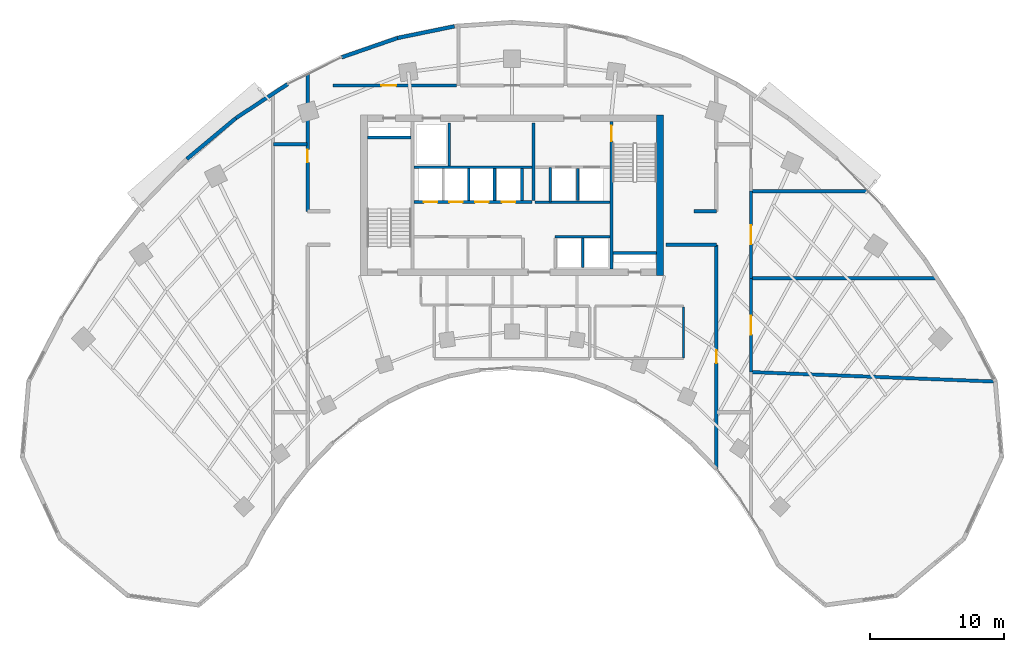
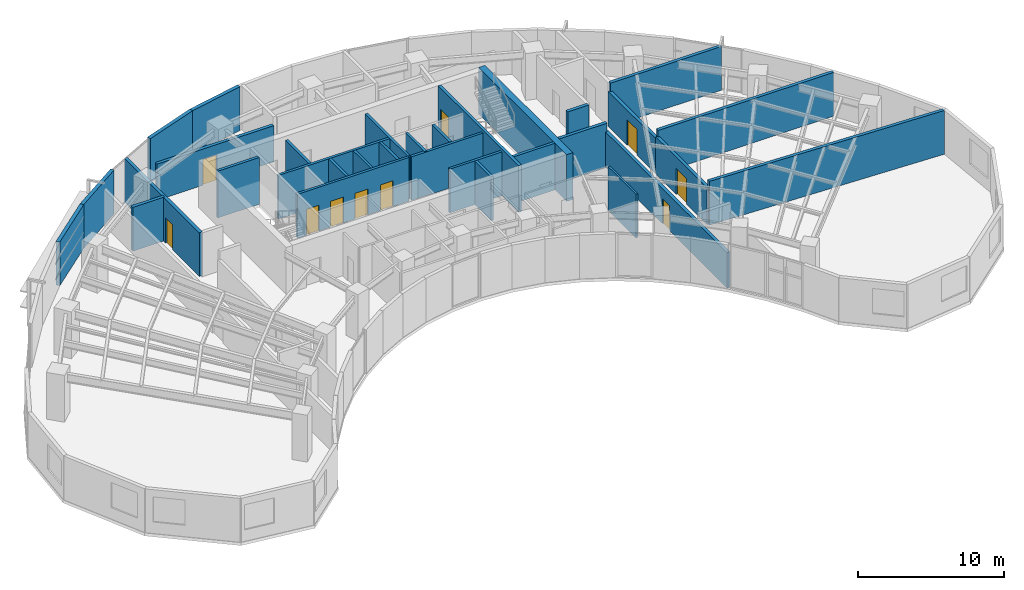
# One storey, part 10 of 14: 32 walls, 10 doors, 10 openings.
"""IFC4 building model written with IfcOpenShell, lengths in metres."""

from ifc_helpers import new_model, si_unit, direction, frame, frame_2d, origin, place, context, subcontext, project, spatial, rectangle, extrude, source, transform, mapped, material, layer, layer_set, type_object, type_shapes, element, fill, save


model = new_model("IFC4")

# Units and contexts
model_context = context("Model", 3, precision=1e-05, world=origin(), true_north=direction((0.0, 1.0)))
body_context = subcontext(model_context, "Body", "Model", "MODEL_VIEW")
ifc_project = project(units=[si_unit("LENGTHUNIT", "METRE"), si_unit("AREAUNIT", "SQUARE_METRE"), si_unit("VOLUMEUNIT", "CUBIC_METRE"), si_unit("PLANEANGLEUNIT", "RADIAN"), si_unit("MASSUNIT", "GRAM", prefix="KILO")], contexts=[model_context])

# Site, building, storey
site_placement = place(None, origin())
site = spatial("IfcSite", under=ifc_project, at=site_placement, CompositionType="ELEMENT")
building_placement = place(site_placement, origin())
building = spatial("IfcBuilding", under=site, at=building_placement, Name="Breltana Convention Tower", CompositionType="ELEMENT")
storey_placement = place(building_placement, frame((0.0, 0.0, 123.300048828125)))
storey = spatial("IfcBuildingStorey", under=building, at=storey_placement, Name="L29", CompositionType="ELEMENT", Elevation=123.300048828125)

# Walls
ifc_material_1 = material(Name="Concrete C60/75", Category="concrete")
ifc_layer_1 = layer(ifc_material_1, 0.5, Name="Concrete C60/75")
ifc_layer_set_1 = layer_set([ifc_layer_1], Name="Concrete C60/75")
wall_type_1 = type_object("IfcWallType", Name="SW-CORE-500", PredefinedType="SHEAR", material=ifc_layer_set_1)
shared_shape_1 = source(origin(), body_context, "Body", "SweptSolid", [
    extrude(rectangle(XDim=12.0, YDim=0.5, at=frame_2d((6.0, 0.0))), origin(), (0.0, 0.0, 1.0), 3.89990234375),
])
wall_1_placement = place(storey_placement, frame((59.050048828125, 60.199951171875, 0.0), z_axis=(0.0, 0.0, 1.0), x_axis=(0.0, 1.0, 0.0)))
element("IfcWall", 1, at=wall_1_placement, inside=storey, type_object=wall_type_1, Name="L29 East Core Shear Wall", PredefinedType="SHEAR", context=body_context, shape_type="MappedRepresentation", body=[
    mapped(shared_shape_1, transform((0.0, 0.0, 0.0), scale=1.0)),
])
ifc_material_2 = material(Name="Concrete C50/60", Category="concrete")
ifc_layer_2 = layer(ifc_material_2, 0.39990234375, Name="Concrete C50/60")
ifc_layer_set_2 = layer_set([ifc_layer_2], Name="Concrete C50/60")
wall_type_2 = type_object("IfcWallType", Name="SW-CORE-400", PredefinedType="SHEAR", material=ifc_layer_set_2)
shared_shape_2 = source(origin(), body_context, "Body", "SweptSolid", [
    extrude(rectangle(XDim=3.27001953125, YDim=0.219970703125, at=frame_2d((1.635009765625, 0.0))), origin(), (0.0, 0.0, 1.0), 3.89990234375),
])
for number, where, z_axis, x_axis, name in (
    (2, (37.199951171875, 70.510009765625, 0.0), (0.0, 0.0, 1.0), (1.0, 0.0, 0.0), "L29 ST-1 Stairwell North Bearing Wall"),
    (3, (55.530029296875, 61.889892578125, 0.0), (0.0, 0.0, 1.0), (1.0, 0.0, 0.0), "L29 ST-2 Stairwell South Bearing Wall"),
):
    element("IfcWall", number, at=place(storey_placement, frame(where, z_axis=z_axis, x_axis=x_axis)), inside=storey, type_object=wall_type_2, Name=name, PredefinedType="SHEAR", context=body_context, shape_type="MappedRepresentation", body=[
        mapped(shared_shape_2, transform((0.0, 0.0, 0.0), scale=1.0)),
    ])

# Wall, opening, door
shared_shape_3 = source(origin(), body_context, "Body", "SweptSolid", [
    extrude(rectangle(XDim=11.0, YDim=0.219970703125, at=frame_2d((5.5, 0.0))), origin(), (0.0, 0.0, 1.0), 3.89990234375),
])
wall_2_placement = place(storey_placement, frame((55.419921875, 60.699951171875, 0.0), z_axis=(0.0, 0.0, 1.0), x_axis=(0.0, 1.0, 0.0)))
wall_2 = element("IfcWall", 4, at=wall_2_placement, inside=storey, type_object=wall_type_2, Name="L29 Core East Stair Spine Wall", PredefinedType="SHEAR", context=body_context, shape_type="MappedRepresentation", body=[
    mapped(shared_shape_3, transform((0.0, 0.0, 0.0), scale=1.0)),
])
opening_1_placement = place(wall_2_placement, frame((9.544921875, 0.0, 0.0)))
opening_1 = element("IfcOpeningElement", 5, at=opening_1_placement, cuts=wall_2, Name="Opening D-11", PredefinedType="OPENING", context=body_context, shape_type="SweptSolid", body=[
    extrude(rectangle(XDim=1.14990234375, YDim=2.14990234375, at=frame_2d((0.574951171875, 1.074951171875))), frame((0.0, 0.1201171875, 0.0), z_axis=(0.0, -1.0, 0.0), x_axis=(1.0, 0.0, 0.0)), (0.0, 0.0, 1.0), 0.239990234375),
])
ifc_material_3 = material(Name="Steel Stair Exit Door", Category="steel")
door_type_1 = type_object("IfcDoorType", Name="DR-FD120-1150", OperationType="NOTDEFINED", PredefinedType="DOOR", material=ifc_material_3)
shared_shape_4 = source(origin(), body_context, "Body", "SweptSolid", [
    extrude(rectangle(XDim=1.14990234375, YDim=2.14990234375, at=frame_2d((0.574951171875, 1.074951171875))), frame((0.0, 0.02490234375, 0.0), z_axis=(0.0, -1.0, 0.0), x_axis=(1.0, 0.0, 0.0)), (0.0, 0.0, 1.0), 0.050048828125),
])
type_shapes(door_type_1, [shared_shape_4])
door_1_placement = place(opening_1_placement, origin())
door_1 = element("IfcDoor", 6, at=door_1_placement, inside=storey, type_object=door_type_1, Name="L29 interior door D-L29-ST2", OperationType="SINGLE_SWING_LEFT", OverallHeight=2.14990234375, OverallWidth=1.14990234375, PredefinedType="DOOR", context=body_context, shape_type="MappedRepresentation", body=[
    mapped(shared_shape_4, transform((0.0, 0.0, 0.0), scale=1.0)),
])
fill(opening_1, door_1)

# Walls
ifc_material_4 = material(Name="Limestone Buff Insulated Wall", Category="masonry")
ifc_layer_3 = layer(ifc_material_4, 0.280029296875, Name="Limestone Buff Insulated Wall")
ifc_layer_set_3 = layer_set([ifc_layer_3], Name="Limestone Buff Insulated Wall")
wall_type_3 = type_object("IfcWallType", Name="WL-EXT-NOSE-280", PredefinedType="SOLIDWALL", material=ifc_layer_set_3)
shared_shape_5 = source(origin(), body_context, "Body", "SweptSolid", [
    extrude(rectangle(XDim=4.76220703125, YDim=0.280029296875, at=frame_2d((2.381103515625, 0.0))), origin(), (0.0, 0.0, 1.0), 3.64990234375),
])
wall_3_placement = place(storey_placement, frame((23.724609375, 68.907470703125, 0.0), z_axis=(0.0, 0.0, 1.0), x_axis=(0.767952279762, 0.640507061638, 0.0)))
element("IfcWall", 7, at=wall_3_placement, inside=storey, type_object=wall_type_3, Name="L29 curved limestone nose wall E22", PredefinedType="SOLIDWALL", context=body_context, shape_type="MappedRepresentation", body=[
    mapped(shared_shape_5, transform((0.0, 0.0, 0.0), scale=1.0)),
])
shared_shape_6 = source(origin(), body_context, "Body", "SweptSolid", [
    extrude(rectangle(XDim=4.625732421875, YDim=0.280029296875, at=frame_2d((2.31298828125, 0.0))), origin(), (0.0, 0.0, 1.0), 3.64990234375),
])
wall_4_placement = place(storey_placement, frame((27.3818359375, 71.957763671875, 0.0), z_axis=(0.0, 0.0, 1.0), x_axis=(0.83595938331, 0.548791316855, 0.0)))
element("IfcWall", 8, at=wall_4_placement, inside=storey, type_object=wall_type_3, Name="L29 curved limestone nose wall E23", PredefinedType="SOLIDWALL", context=body_context, shape_type="MappedRepresentation", body=[
    mapped(shared_shape_6, transform((0.0, 0.0, 0.0), scale=1.0)),
])
shared_shape_7 = source(origin(), body_context, "Body", "SweptSolid", [
    extrude(rectangle(XDim=4.408935546875, YDim=0.280029296875, at=frame_2d((2.20458984375, 0.0))), origin(), (0.0, 0.0, 1.0), 3.64990234375),
])
wall_5_placement = place(storey_placement, frame((35.28564453125, 76.497314453125, 0.0), z_axis=(0.0, 0.0, 1.0), x_axis=(0.944879374121, 0.327418643881, 0.0)))
element("IfcWall", 9, at=wall_5_placement, inside=storey, type_object=wall_type_3, Name="L29 curved limestone nose wall E24", PredefinedType="SOLIDWALL", context=body_context, shape_type="MappedRepresentation", body=[
    mapped(shared_shape_7, transform((0.0, 0.0, 0.0), scale=1.0)),
])
shared_shape_8 = source(origin(), body_context, "Body", "SweptSolid", [
    extrude(rectangle(XDim=4.3408203125, YDim=0.280029296875, at=frame_2d((2.17041015625, 0.0))), origin(), (0.0, 0.0, 1.0), 3.64990234375),
])
wall_6_placement = place(storey_placement, frame((39.45166015625, 77.94091796875, 0.0), z_axis=(0.0, 0.0, 1.0), x_axis=(0.979612918634, 0.20089432457, 0.0)))
element("IfcWall", 10, at=wall_6_placement, inside=storey, type_object=wall_type_3, Name="L29 curved limestone nose wall E25", PredefinedType="SOLIDWALL", context=body_context, shape_type="MappedRepresentation", body=[
    mapped(shared_shape_8, transform((0.0, 0.0, 0.0), scale=1.0)),
])
ifc_material_5 = material(Name="Autoclaved Aerated Concrete Block", Category="concrete")
ifc_layer_4 = layer(ifc_material_5, 0.199951171875, Name="Autoclaved Aerated Concrete Block")
ifc_layer_set_4 = layer_set([ifc_layer_4], Name="Autoclaved Aerated Concrete Block")
wall_type_4 = type_object("IfcWallType", Name="WL-SHAFT-200", PredefinedType="SOLIDWALL", material=ifc_layer_set_4)
shared_shape_9 = source(origin(), body_context, "Body", "SweptSolid", [
    extrude(rectangle(XDim=5.6201171875, YDim=0.199951171875, at=frame_2d((2.81005859375, 0.0))), origin(), (0.0, 0.0, 1.0), 3.64990234375),
])
wall_7_placement = place(storey_placement, frame((49.699951171875, 65.679931640625, 0.0), z_axis=(0.0, 0.0, 1.0), x_axis=(1.0, 0.0, 0.0)))
element("IfcWall", 11, at=wall_7_placement, inside=storey, type_object=wall_type_4, Name="L29 interior partition W-L29-FL-S", PredefinedType="SOLIDWALL", context=body_context, shape_type="MappedRepresentation", body=[
    mapped(shared_shape_9, transform((0.0, 0.0, 0.0), scale=1.0)),
])
shared_shape_10 = source(origin(), body_context, "Body", "SweptSolid", [
    extrude(rectangle(XDim=5.800048828125, YDim=0.199951171875, at=frame_2d((2.89990234375, 0.0))), origin(), (0.0, 0.0, 1.0), 3.64990234375),
])
wall_8_placement = place(storey_placement, frame((49.60009765625, 65.800048828125, 0.0), z_axis=(0.0, 0.0, 1.0), x_axis=(0.0, 1.0, 0.0)))
element("IfcWall", 12, at=wall_8_placement, inside=storey, type_object=wall_type_4, Name="L29 interior partition W-L29-FFL-W", PredefinedType="SOLIDWALL", context=body_context, shape_type="MappedRepresentation", body=[
    mapped(shared_shape_10, transform((0.0, 0.0, 0.0), scale=1.0)),
])
shared_shape_11 = source(origin(), body_context, "Body", "SweptSolid", [
    extrude(rectangle(XDim=2.580078125, YDim=0.199951171875, at=frame_2d((1.2900390625, 0.0))), origin(), (0.0, 0.0, 1.0), 3.64990234375),
])
wall_9_placement = place(storey_placement, frame((50.85009765625, 65.679931640625, 0.0), z_axis=(0.0, 0.0, 1.0), x_axis=(0.0, 1.0, 0.0)))
element("IfcWall", 13, at=wall_9_placement, inside=storey, type_object=wall_type_4, Name="L29 interior partition W-L29-FL-W", PredefinedType="SOLIDWALL", context=body_context, shape_type="MappedRepresentation", body=[
    mapped(shared_shape_11, transform((0.0, 0.0, 0.0), scale=1.0)),
])
shared_shape_12 = source(origin(), body_context, "Body", "SweptSolid", [
    extrude(rectangle(XDim=2.39990234375, YDim=0.199951171875, at=frame_2d((1.199951171875, 0.0))), origin(), (0.0, 0.0, 1.0), 3.64990234375),
])
for number, where, z_axis, x_axis, name in (
    (14, (52.89990234375, 65.800048828125, 0.0), (0.0, 0.0, 1.0), (0.0, 1.0, 0.0), "L29 interior partition W-L29-FL-DIV"),
    (15, (48.75, 65.800048828125, 0.0), (0.0, 0.0, 1.0), (0.0, 1.0, 0.0), "L29 interior partition W-L29-SH-M-END"),
    (16, (44.77001953125, 65.800048828125, 0.0), (0.0, 0.0, 1.0), (0.0, 1.0, 0.0), "L29 interior partition W-L29-SH-M-DIV2"),
    (17, (46.699951171875, 65.800048828125, 0.0), (0.0, 0.0, 1.0), (0.0, 1.0, 0.0), "L29 interior partition W-L29-SH-M-DIV3"),
):
    element("IfcWall", number, at=place(storey_placement, frame(where, z_axis=z_axis, x_axis=x_axis)), inside=storey, type_object=wall_type_4, Name=name, PredefinedType="SOLIDWALL", context=body_context, shape_type="MappedRepresentation", body=[
        mapped(shared_shape_12, transform((0.0, 0.0, 0.0), scale=1.0)),
    ])
shared_shape_13 = source(origin(), body_context, "Body", "SweptSolid", [
    extrude(rectangle(XDim=3.2001953125, YDim=0.199951171875, at=frame_2d((1.60009765625, 0.0))), origin(), (0.0, 0.0, 1.0), 3.64990234375),
])
wall_10_placement = place(storey_placement, frame((43.320068359375, 68.39990234375, 0.0), z_axis=(0.0, 0.0, 1.0), x_axis=(0.0, 1.0, 0.0)))
element("IfcWall", 18, at=wall_10_placement, inside=storey, type_object=wall_type_4, Name="L29 interior partition W-L29-SV-E", PredefinedType="SOLIDWALL", context=body_context, shape_type="MappedRepresentation", body=[
    mapped(shared_shape_13, transform((0.0, 0.0, 0.0), scale=1.0)),
])
shared_shape_14 = source(origin(), body_context, "Body", "SweptSolid", [
    extrude(rectangle(XDim=8.800048828125, YDim=0.199951171875, at=frame_2d((4.39990234375, 0.0))), origin(), (0.0, 0.0, 1.0), 3.64990234375),
])
wall_11_placement = place(storey_placement, frame((40.699951171875, 68.300048828125, 0.0), z_axis=(0.0, 0.0, 1.0), x_axis=(1.0, 0.0, 0.0)))
element("IfcWall", 19, at=wall_11_placement, inside=storey, type_object=wall_type_4, Name="L29 interior partition W-L29-SV-S", PredefinedType="SOLIDWALL", context=body_context, shape_type="MappedRepresentation", body=[
    mapped(shared_shape_14, transform((0.0, 0.0, 0.0), scale=1.0)),
])

# Wall, openings, doors
wall_12_placement = place(storey_placement, frame((40.699951171875, 65.699951171875, 0.0), z_axis=(0.0, 0.0, 1.0), x_axis=(1.0, 0.0, 0.0)))
wall_12 = element("IfcWall", 20, at=wall_12_placement, inside=storey, type_object=wall_type_4, Name="L29 interior partition W-L29-SH-M-FRONT", PredefinedType="SOLIDWALL", context=body_context, shape_type="MappedRepresentation", body=[
    mapped(shared_shape_14, transform((0.0, 0.0, 0.0), scale=1.0)),
])
opening_2_placement = place(wall_12_placement, frame((0.719970703125, 0.0, 0.0)))
opening_2 = element("IfcOpeningElement", 21, at=opening_2_placement, cuts=wall_12, Name="Opening LD-04", PredefinedType="OPENING", context=body_context, shape_type="SweptSolid", body=[
    extrude(rectangle(XDim=1.0, YDim=2.14990234375, at=frame_2d((0.5, 1.074951171875))), frame((0.0, 0.10986328125, 0.0), z_axis=(0.0, -1.0, 0.0), x_axis=(1.0, 0.0, 0.0)), (0.0, 0.0, 1.0), 0.219970703125),
])
opening_3_placement = place(wall_12_placement, frame((2.6201171875, 0.0, 0.0)))
opening_3 = element("IfcOpeningElement", 22, at=opening_3_placement, cuts=wall_12, Name="Opening LD-04", PredefinedType="OPENING", context=body_context, shape_type="SweptSolid", body=[
    extrude(rectangle(XDim=1.0, YDim=2.14990234375, at=frame_2d((0.5, 1.074951171875))), frame((0.0, 0.10986328125, 0.0), z_axis=(0.0, -1.0, 0.0), x_axis=(1.0, 0.0, 0.0)), (0.0, 0.0, 1.0), 0.219970703125),
])
opening_4_placement = place(wall_12_placement, frame((4.550048828125, 0.0, 0.0)))
opening_4 = element("IfcOpeningElement", 23, at=opening_4_placement, cuts=wall_12, Name="Opening LD-04", PredefinedType="OPENING", context=body_context, shape_type="SweptSolid", body=[
    extrude(rectangle(XDim=1.0, YDim=2.14990234375, at=frame_2d((0.5, 1.074951171875))), frame((0.0, 0.10986328125, 0.0), z_axis=(0.0, -1.0, 0.0), x_axis=(1.0, 0.0, 0.0)), (0.0, 0.0, 1.0), 0.219970703125),
])
opening_5_placement = place(wall_12_placement, frame((6.550048828125, 0.0, 0.0)))
opening_5 = element("IfcOpeningElement", 24, at=opening_5_placement, cuts=wall_12, Name="Opening LD-04", PredefinedType="OPENING", context=body_context, shape_type="SweptSolid", body=[
    extrude(rectangle(XDim=1.0, YDim=2.14990234375, at=frame_2d((0.5, 1.074951171875))), frame((0.0, 0.10986328125, 0.0), z_axis=(0.0, -1.0, 0.0), x_axis=(1.0, 0.0, 0.0)), (0.0, 0.0, 1.0), 0.219970703125),
])
ifc_material_6 = material(Name="Stainless Steel Brushed", Category="steel")
door_type_2 = type_object("IfcDoorType", Name="DR-LD-PAX-1000", OperationType="DOUBLE_DOOR_SLIDING", PredefinedType="DOOR", material=ifc_material_6)
shared_shape_15 = source(origin(), body_context, "Body", "SweptSolid", [
    extrude(rectangle(XDim=1.0, YDim=2.14990234375, at=frame_2d((0.5, 1.074951171875))), frame((0.0, 0.02490234375, 0.0), z_axis=(0.0, -1.0, 0.0), x_axis=(1.0, 0.0, 0.0)), (0.0, 0.0, 1.0), 0.050048828125),
])
type_shapes(door_type_2, [shared_shape_15])
door_2_placement = place(opening_2_placement, origin())
door_2 = element("IfcDoor", 25, at=door_2_placement, inside=storey, type_object=door_type_2, Name="L29 Lift Landing Door D-L29-LD-M1", OperationType="DOUBLE_DOOR_SLIDING", OverallHeight=2.14990234375, OverallWidth=1.0, PredefinedType="DOOR", context=body_context, shape_type="MappedRepresentation", body=[
    mapped(shared_shape_15, transform((0.0, 0.0, 0.0), scale=1.0)),
])
fill(opening_2, door_2)
door_3_placement = place(opening_3_placement, origin())
door_3 = element("IfcDoor", 26, at=door_3_placement, inside=storey, type_object=door_type_2, Name="L29 Lift Landing Door D-L29-LD-M2", OperationType="DOUBLE_DOOR_SLIDING", OverallHeight=2.14990234375, OverallWidth=1.0, PredefinedType="DOOR", context=body_context, shape_type="MappedRepresentation", body=[
    mapped(shared_shape_15, transform((0.0, 0.0, 0.0), scale=1.0)),
])
fill(opening_3, door_3)
door_4_placement = place(opening_4_placement, origin())
door_4 = element("IfcDoor", 27, at=door_4_placement, inside=storey, type_object=door_type_2, Name="L29 Lift Landing Door D-L29-LD-M3", OperationType="DOUBLE_DOOR_SLIDING", OverallHeight=2.14990234375, OverallWidth=1.0, PredefinedType="DOOR", context=body_context, shape_type="MappedRepresentation", body=[
    mapped(shared_shape_15, transform((0.0, 0.0, 0.0), scale=1.0)),
])
fill(opening_4, door_4)
door_5_placement = place(opening_5_placement, origin())
door_5 = element("IfcDoor", 28, at=door_5_placement, inside=storey, type_object=door_type_2, Name="L29 Lift Landing Door D-L29-LD-M4", OperationType="DOUBLE_DOOR_SLIDING", OverallHeight=2.14990234375, OverallWidth=1.0, PredefinedType="DOOR", context=body_context, shape_type="MappedRepresentation", body=[
    mapped(shared_shape_15, transform((0.0, 0.0, 0.0), scale=1.0)),
])
fill(opening_5, door_5)

# Walls
shared_shape_16 = source(origin(), body_context, "Body", "SweptSolid", [
    extrude(rectangle(XDim=4.10009765625, YDim=0.199951171875, at=frame_2d((2.050048828125, 0.0))), origin(), (0.0, 0.0, 1.0), 3.64990234375),
])
wall_13_placement = place(storey_placement, frame((51.219970703125, 63.10009765625, 0.0), z_axis=(0.0, 0.0, 1.0), x_axis=(1.0, 0.0, 0.0)))
element("IfcWall", 29, at=wall_13_placement, inside=storey, type_object=wall_type_4, Name="L29 interior partition W-L29-SH-X-FRONT", PredefinedType="SOLIDWALL", context=body_context, shape_type="MappedRepresentation", body=[
    mapped(shared_shape_16, transform((0.0, 0.0, 0.0), scale=1.0)),
])
shared_shape_17 = source(origin(), body_context, "Body", "SweptSolid", [
    extrude(rectangle(XDim=2.199951171875, YDim=0.199951171875, at=frame_2d((1.10009765625, 0.0))), origin(), (0.0, 0.0, 1.0), 3.64990234375),
])
wall_14_placement = place(storey_placement, frame((53.280029296875, 60.800048828125, 0.0), z_axis=(0.0, 0.0, 1.0), x_axis=(0.0, 1.0, 0.0)))
element("IfcWall", 30, at=wall_14_placement, inside=storey, type_object=wall_type_4, Name="L29 interior partition W-L29-SH-X-DIV", PredefinedType="SOLIDWALL", context=body_context, shape_type="MappedRepresentation", body=[
    mapped(shared_shape_17, transform((0.0, 0.0, 0.0), scale=1.0)),
])
ifc_material_7 = material(Name="Gypsum Acoustic Drywall Partition")
ifc_layer_5 = layer(ifc_material_7, 0.14990234375, Name="Gypsum Acoustic Drywall Partition")
ifc_layer_set_5 = layer_set([ifc_layer_5], Name="Gypsum Acoustic Drywall Partition")
wall_type_5 = type_object("IfcWallType", Name="WL-PART-150", PredefinedType="PARTITIONING", material=ifc_layer_set_5)
shared_shape_18 = source(origin(), body_context, "Body", "SweptSolid", [
    extrude(rectangle(XDim=3.78515625, YDim=0.14990234375, at=frame_2d((1.892578125, 0.0))), origin(), (0.0, 0.0, 1.0), 3.64990234375),
])
wall_15_placement = place(storey_placement, frame((60.800048828125, 54.0673828125, 0.0), z_axis=(0.0, 0.0, 1.0), x_axis=(0.0, 1.0, 0.0)))
element("IfcWall", 31, at=wall_15_placement, inside=storey, type_object=wall_type_5, Name="L29 interior partition W-L29-PNT-E", PredefinedType="PARTITIONING", context=body_context, shape_type="MappedRepresentation", body=[
    mapped(shared_shape_18, transform((0.0, 0.0, 0.0), scale=1.0)),
])

# Wall, opening, door
ifc_material_8 = material(Name="Gypsum Acoustic Double Stud Wall")
ifc_layer_6 = layer(ifc_material_8, 0.25, Name="Gypsum Acoustic Double Stud Wall")
ifc_layer_set_6 = layer_set([ifc_layer_6], Name="Gypsum Acoustic Double Stud Wall")
wall_type_6 = type_object("IfcWallType", Name="WL-ACOUSTIC-250", PredefinedType="PARTITIONING", material=ifc_layer_set_6)
shared_shape_19 = source(origin(), body_context, "Body", "SweptSolid", [
    extrude(rectangle(XDim=7.0, YDim=0.25, at=frame_2d((3.5, 0.0))), origin(), (0.0, 0.0, 1.0), 3.093017578125),
])
wall_16_placement = place(storey_placement, frame((65.840087890625, 53.0, 0.0), z_axis=(0.0, 0.0, 1.0), x_axis=(0.0, 1.0, 0.0)))
wall_16 = element("IfcWall", 32, at=wall_16_placement, inside=storey, type_object=wall_type_6, Name="L29 interior partition W-L29-ZE2-W", PredefinedType="PARTITIONING", context=body_context, shape_type="MappedRepresentation", body=[
    mapped(shared_shape_19, transform((0.0, 0.0, 0.0), scale=1.0)),
])
opening_6_placement = place(wall_16_placement, frame((2.800048828125, 0.0, 0.0)))
opening_6 = element("IfcOpeningElement", 33, at=opening_6_placement, cuts=wall_16, Name="Opening D-05", PredefinedType="OPENING", context=body_context, shape_type="SweptSolid", body=[
    extrude(rectangle(XDim=1.39990234375, YDim=2.14990234375, at=frame_2d((0.699951171875, 1.074951171875))), frame((0.0, 0.135009765625, 0.0), z_axis=(0.0, -1.0, 0.0), x_axis=(1.0, 0.0, 0.0)), (0.0, 0.0, 1.0), 0.27001953125),
])
ifc_material_9 = material(Name="Timber Veneer Glazed Double Door", Category="wood")
door_type_3 = type_object("IfcDoorType", Name="DR-DBL-1400", OperationType="DOUBLE_DOOR_SINGLE_SWING", PredefinedType="DOOR", material=ifc_material_9)
shared_shape_20 = source(origin(), body_context, "Body", "SweptSolid", [
    extrude(rectangle(XDim=1.39990234375, YDim=2.14990234375, at=frame_2d((0.699951171875, 1.074951171875))), frame((0.0, 0.02490234375, 0.0), z_axis=(0.0, -1.0, 0.0), x_axis=(1.0, 0.0, 0.0)), (0.0, 0.0, 1.0), 0.050048828125),
])
type_shapes(door_type_3, [shared_shape_20])
door_6_placement = place(opening_6_placement, origin())
door_6 = element("IfcDoor", 34, at=door_6_placement, inside=storey, type_object=door_type_3, Name="L29 interior door D-L29-ZE2", OperationType="SINGLE_SWING_LEFT", OverallHeight=2.14990234375, OverallWidth=1.39990234375, PredefinedType="DOOR", context=body_context, shape_type="MappedRepresentation", body=[
    mapped(shared_shape_20, transform((0.0, 0.0, 0.0), scale=1.0)),
])
fill(opening_6, door_6)

# Walls
shared_shape_21 = source(origin(), body_context, "Body", "SweptSolid", [
    extrude(rectangle(XDim=2.5, YDim=0.25, at=frame_2d((1.25, 0.0))), origin(), (0.0, 0.0, 1.0), 3.64990234375),
])
wall_17_placement = place(storey_placement, frame((30.199951171875, 70.0, 0.0), z_axis=(0.0, 0.0, 1.0), x_axis=(1.0, 0.0, 0.0)))
element("IfcWall", 35, at=wall_17_placement, inside=storey, type_object=wall_type_6, Name="L29 interior partition W-L29-CORNW-N", PredefinedType="PARTITIONING", context=body_context, shape_type="MappedRepresentation", body=[
    mapped(shared_shape_21, transform((0.0, 0.0, 0.0), scale=1.0)),
])
shared_shape_22 = source(origin(), body_context, "Body", "SweptSolid", [
    extrude(rectangle(XDim=18.121826171875, YDim=0.25, at=frame_2d((9.06103515625, 0.0))), origin(), (0.0, 0.0, 1.0), 3.64990234375),
])
wall_18_placement = place(storey_placement, frame((65.840087890625, 53.0, 0.0), z_axis=(0.0, 0.0, 1.0), x_axis=(0.999241241773, -0.038947923447, 0.0)))
element("IfcWall", 36, at=wall_18_placement, inside=storey, type_object=wall_type_6, Name="L29 interior partition W-L29-ZE1-N", PredefinedType="PARTITIONING", context=body_context, shape_type="MappedRepresentation", body=[
    mapped(shared_shape_22, transform((0.0, 0.0, 0.0), scale=1.0)),
])
shared_shape_23 = source(origin(), body_context, "Body", "SweptSolid", [
    extrude(rectangle(XDim=13.8583984375, YDim=0.25, at=frame_2d((6.92919921875, 0.0))), origin(), (0.0, 0.0, 1.0), 3.64990234375),
])
wall_19_placement = place(storey_placement, frame((65.840087890625, 60.0, 0.0), z_axis=(0.0, 0.0, 1.0), x_axis=(1.0, 0.0, 0.0)))
element("IfcWall", 37, at=wall_19_placement, inside=storey, type_object=wall_type_6, Name="L29 interior partition W-L29-ZE2-N", PredefinedType="PARTITIONING", context=body_context, shape_type="MappedRepresentation", body=[
    mapped(shared_shape_23, transform((0.0, 0.0, 0.0), scale=1.0)),
])

# Wall, opening, door
shared_shape_24 = source(origin(), body_context, "Body", "SweptSolid", [
    extrude(rectangle(XDim=6.5, YDim=0.25, at=frame_2d((3.25, 0.0))), origin(), (0.0, 0.0, 1.0), 2.94189453125),
])
wall_20_placement = place(storey_placement, frame((65.840087890625, 60.0, 0.0), z_axis=(0.0, 0.0, 1.0), x_axis=(0.0, 1.0, 0.0)))
wall_20 = element("IfcWall", 38, at=wall_20_placement, inside=storey, type_object=wall_type_6, Name="L29 interior partition W-L29-ZE3-W", PredefinedType="PARTITIONING", context=body_context, shape_type="MappedRepresentation", body=[
    mapped(shared_shape_24, transform((0.0, 0.0, 0.0), scale=1.0)),
])
opening_7_placement = place(wall_20_placement, frame((2.550048828125, 0.0, 0.0)))
opening_7 = element("IfcOpeningElement", 39, at=opening_7_placement, cuts=wall_20, Name="Opening D-05", PredefinedType="OPENING", context=body_context, shape_type="SweptSolid", body=[
    extrude(rectangle(XDim=1.39990234375, YDim=2.14990234375, at=frame_2d((0.699951171875, 1.074951171875))), frame((0.0, 0.135009765625, 0.0), z_axis=(0.0, -1.0, 0.0), x_axis=(1.0, 0.0, 0.0)), (0.0, 0.0, 1.0), 0.27001953125),
])
door_7_placement = place(opening_7_placement, origin())
door_7 = element("IfcDoor", 40, at=door_7_placement, inside=storey, type_object=door_type_3, Name="L29 interior door D-L29-ZE3", OperationType="SINGLE_SWING_RIGHT", OverallHeight=2.14990234375, OverallWidth=1.39990234375, PredefinedType="DOOR", context=body_context, shape_type="MappedRepresentation", body=[
    mapped(shared_shape_20, transform((0.0, 0.0, 0.0), scale=1.0)),
])
fill(opening_7, door_7)

# Wall
shared_shape_25 = source(origin(), body_context, "Body", "SweptSolid", [
    extrude(rectangle(XDim=8.745849609375, YDim=0.25, at=frame_2d((4.373046875, 0.0))), origin(), (0.0, 0.0, 1.0), 3.64990234375),
])
wall_21_placement = place(storey_placement, frame((65.840087890625, 66.5, 0.0), z_axis=(0.0, 0.0, 1.0), x_axis=(1.0, 0.0, 0.0)))
element("IfcWall", 41, at=wall_21_placement, inside=storey, type_object=wall_type_6, Name="L29 interior partition W-L29-ZE3-N", PredefinedType="PARTITIONING", context=body_context, shape_type="MappedRepresentation", body=[
    mapped(shared_shape_25, transform((0.0, 0.0, 0.0), scale=1.0)),
])

# Wall, opening, door
shared_shape_26 = source(origin(), body_context, "Body", "SweptSolid", [
    extrude(rectangle(XDim=9.2001953125, YDim=0.25, at=frame_2d((4.60009765625, 0.0))), origin(), (0.0, 0.0, 1.0), 3.02197265625),
])
wall_22_placement = place(storey_placement, frame((34.64990234375, 74.39990234375, 0.0), z_axis=(0.0, 0.0, 1.0), x_axis=(1.0, 0.0, 0.0)))
wall_22 = element("IfcWall", 42, at=wall_22_placement, inside=storey, type_object=wall_type_6, Name="L29 interior partition W-L29-ZN1-S", PredefinedType="PARTITIONING", context=body_context, shape_type="MappedRepresentation", body=[
    mapped(shared_shape_26, transform((0.0, 0.0, 0.0), scale=1.0)),
])
opening_8_placement = place(wall_22_placement, frame((3.60009765625, 0.0, 0.0)))
opening_8 = element("IfcOpeningElement", 43, at=opening_8_placement, cuts=wall_22, Name="Opening D-12", PredefinedType="OPENING", context=body_context, shape_type="SweptSolid", body=[
    extrude(rectangle(XDim=1.10009765625, YDim=2.14990234375, at=frame_2d((0.550048828125, 1.074951171875))), frame((0.0, 0.135009765625, 0.0), z_axis=(0.0, -1.0, 0.0), x_axis=(1.0, 0.0, 0.0)), (0.0, 0.0, 1.0), 0.27001953125),
])
ifc_material_10 = material(Name="Timber Oak Acoustic Door", Category="wood")
door_type_4 = type_object("IfcDoorType", Name="DR-INT-1100", OperationType="NOTDEFINED", PredefinedType="DOOR", material=ifc_material_10)
shared_shape_27 = source(origin(), body_context, "Body", "SweptSolid", [
    extrude(rectangle(XDim=1.10009765625, YDim=2.14990234375, at=frame_2d((0.550048828125, 1.074951171875))), frame((0.0, 0.02490234375, 0.0), z_axis=(0.0, -1.0, 0.0), x_axis=(1.0, 0.0, 0.0)), (0.0, 0.0, 1.0), 0.050048828125),
])
type_shapes(door_type_4, [shared_shape_27])
door_8_placement = place(opening_8_placement, origin())
door_8 = element("IfcDoor", 44, at=door_8_placement, inside=storey, type_object=door_type_4, Name="L29 interior door D-L29-ZN1", OperationType="SINGLE_SWING_RIGHT", OverallHeight=2.14990234375, OverallWidth=1.10009765625, PredefinedType="DOOR", context=body_context, shape_type="MappedRepresentation", body=[
    mapped(shared_shape_27, transform((0.0, 0.0, 0.0), scale=1.0)),
])
fill(opening_8, door_8)

shared_shape_28 = source(origin(), body_context, "Body", "SweptSolid", [
    extrude(rectangle(XDim=16.70556640625, YDim=0.25, at=frame_2d((8.352783203125, 0.0))), origin(), (0.0, 0.0, 1.0), 2.94189453125),
])
wall_23_placement = place(storey_placement, frame((63.260009765625, 45.79443359375, 0.0), z_axis=(0.0, 0.0, 1.0), x_axis=(0.0, 1.0, 0.0)))
wall_23 = element("IfcWall", 45, at=wall_23_placement, inside=storey, type_object=wall_type_6, Name="L29 interior partition W-L29-ZME1-D", PredefinedType="PARTITIONING", context=body_context, shape_type="MappedRepresentation", body=[
    mapped(shared_shape_28, transform((0.0, 0.0, 0.0), scale=1.0)),
])
opening_9_placement = place(wall_23_placement, frame((7.877685546875, 0.0, 0.0)))
opening_9 = element("IfcOpeningElement", 46, at=opening_9_placement, cuts=wall_23, Name="Opening D-17", PredefinedType="OPENING", context=body_context, shape_type="SweptSolid", body=[
    extrude(rectangle(XDim=0.949951171875, YDim=2.10009765625, at=frame_2d((0.47509765625, 1.050048828125))), frame((0.0, 0.135009765625, 0.0), z_axis=(0.0, -1.0, 0.0), x_axis=(1.0, 0.0, 0.0)), (0.0, 0.0, 1.0), 0.27001953125),
])
ifc_material_11 = material(Name="Timber Oak Veneer Door", Category="wood")
door_type_5 = type_object("IfcDoorType", Name="DR-INT-950", OperationType="NOTDEFINED", PredefinedType="DOOR", material=ifc_material_11)
shared_shape_29 = source(origin(), body_context, "Body", "SweptSolid", [
    extrude(rectangle(XDim=0.949951171875, YDim=2.10009765625, at=frame_2d((0.47509765625, 1.050048828125))), frame((0.0, 0.02490234375, 0.0), z_axis=(0.0, -1.0, 0.0), x_axis=(1.0, 0.0, 0.0)), (0.0, 0.0, 1.0), 0.050048828125),
])
type_shapes(door_type_5, [shared_shape_29])
door_9_placement = place(opening_9_placement, origin())
door_9 = element("IfcDoor", 47, at=door_9_placement, inside=storey, type_object=door_type_5, Name="L29 interior door D-L29-ZME1", OperationType="SINGLE_SWING_LEFT", OverallHeight=2.10009765625, OverallWidth=0.949951171875, PredefinedType="DOOR", context=body_context, shape_type="MappedRepresentation", body=[
    mapped(shared_shape_29, transform((0.0, 0.0, 0.0), scale=1.0)),
])
fill(opening_9, door_9)

# Wall
shared_shape_30 = source(origin(), body_context, "Body", "SweptSolid", [
    extrude(rectangle(XDim=1.659912109375, YDim=0.25, at=frame_2d((0.830078125, 0.0))), origin(), (0.0, 0.0, 1.0), 3.64990234375),
])
wall_24_placement = place(storey_placement, frame((61.60009765625, 65.0, 0.0), z_axis=(0.0, 0.0, 1.0), x_axis=(1.0, 0.0, 0.0)))
element("IfcWall", 48, at=wall_24_placement, inside=storey, type_object=wall_type_6, Name="L29 interior partition W-L29-ZME2-TS", PredefinedType="PARTITIONING", context=body_context, shape_type="MappedRepresentation", body=[
    mapped(shared_shape_30, transform((0.0, 0.0, 0.0), scale=1.0)),
])

# Wall, opening, door
shared_shape_31 = source(origin(), body_context, "Body", "SweptSolid", [
    extrude(rectangle(XDim=10.224365234375, YDim=0.25, at=frame_2d((5.1123046875, 0.0))), origin(), (0.0, 0.0, 1.0), 3.64990234375),
])
wall_25_placement = place(storey_placement, frame((32.739990234375, 65.0, 0.0), z_axis=(0.0, 0.0, 1.0), x_axis=(0.0, 1.0, 0.0)))
wall_25 = element("IfcWall", 49, at=wall_25_placement, inside=storey, type_object=wall_type_6, Name="L29 interior partition W-L29-ZMW2-D", PredefinedType="PARTITIONING", context=body_context, shape_type="MappedRepresentation", body=[
    mapped(shared_shape_31, transform((0.0, 0.0, 0.0), scale=1.0)),
])
opening_10_placement = place(wall_25_placement, frame((3.64990234375, 0.0, 0.0)))
opening_10 = element("IfcOpeningElement", 50, at=opening_10_placement, cuts=wall_25, Name="Opening D-17", PredefinedType="OPENING", context=body_context, shape_type="SweptSolid", body=[
    extrude(rectangle(XDim=0.949951171875, YDim=2.10009765625, at=frame_2d((0.47509765625, 1.050048828125))), frame((0.0, 0.135009765625, 0.0), z_axis=(0.0, -1.0, 0.0), x_axis=(1.0, 0.0, 0.0)), (0.0, 0.0, 1.0), 0.27001953125),
])
door_10_placement = place(opening_10_placement, origin())
door_10 = element("IfcDoor", 51, at=door_10_placement, inside=storey, type_object=door_type_5, Name="L29 interior door D-L29-ZMW2", OperationType="SINGLE_SWING_RIGHT", OverallHeight=2.10009765625, OverallWidth=0.949951171875, PredefinedType="DOOR", context=body_context, shape_type="MappedRepresentation", body=[
    mapped(shared_shape_29, transform((0.0, 0.0, 0.0), scale=1.0)),
])
fill(opening_10, door_10)

# Wall
shared_shape_32 = source(origin(), body_context, "Body", "SweptSolid", [
    extrude(rectangle(XDim=3.760009765625, YDim=0.25, at=frame_2d((1.8798828125, 0.0))), origin(), (0.0, 0.0, 1.0), 3.64990234375),
])
wall_26_placement = place(storey_placement, frame((59.5, 62.5, 0.0), z_axis=(0.0, 0.0, 1.0), x_axis=(1.0, 0.0, 0.0)))
element("IfcWall", 52, at=wall_26_placement, inside=storey, type_object=wall_type_6, Name="L29 interior partition W-L29-ZME1-TN", PredefinedType="PARTITIONING", context=body_context, shape_type="MappedRepresentation", body=[
    mapped(shared_shape_32, transform((0.0, 0.0, 0.0), scale=1.0)),
])

save(model, "model.ifc")
